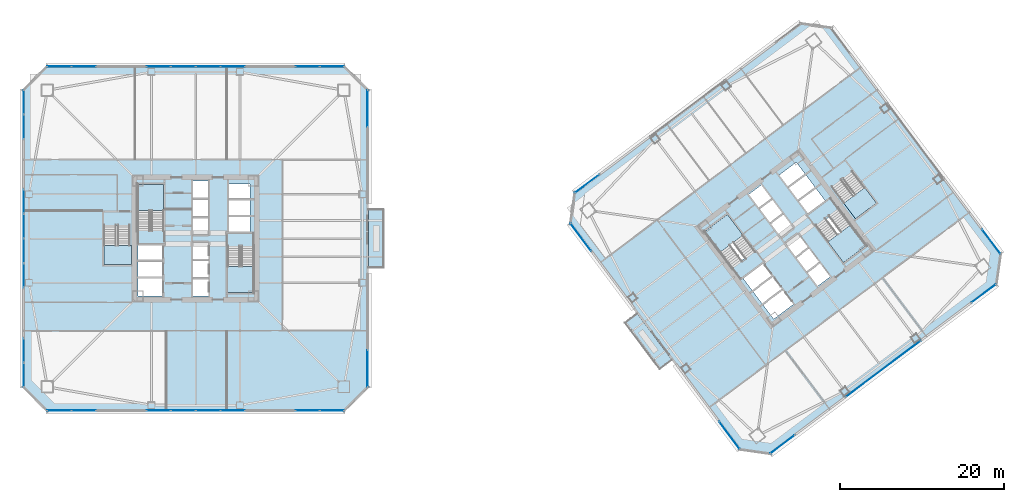
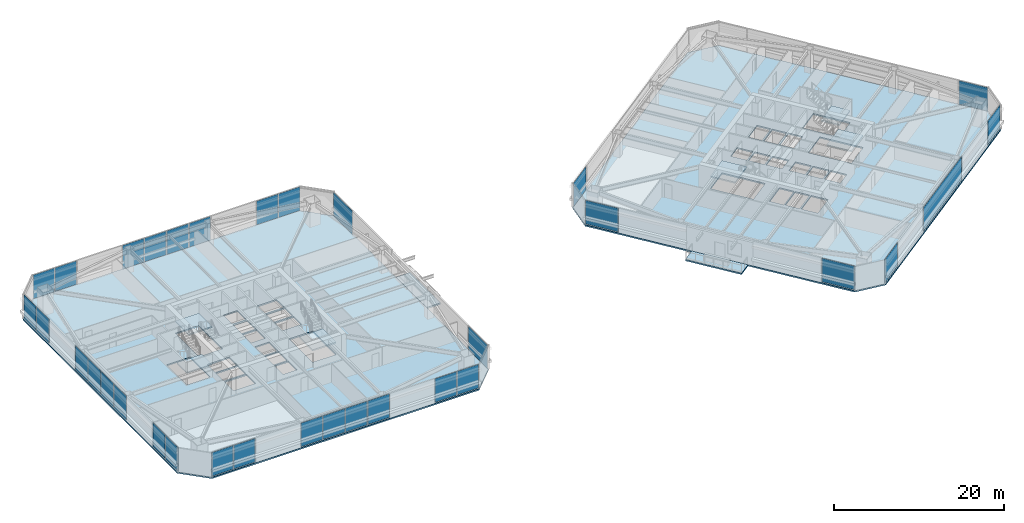
# One storey, part 31 of 44: 33 plates, 10 slabs, 24 elements without a shape of their own.
"""IFC4 building model written with IfcOpenShell, lengths in metres."""

from ifc_helpers import new_model, si_unit, direction, frame, origin, origin_2d, place, context, subcontext, project, spatial, polyline, rectangle, outline, extrude, material, layer, layer_set, type_object, element, aggregate, save


model = new_model("IFC4")

# Units and contexts
model_context = context("Model", 3, precision=1e-05, world=origin(), true_north=direction((0.0, 1.0)))
body_context = subcontext(model_context, "Body", "Model", "MODEL_VIEW")
ifc_project = project(units=[si_unit("LENGTHUNIT", "METRE"), si_unit("AREAUNIT", "SQUARE_METRE"), si_unit("VOLUMEUNIT", "CUBIC_METRE"), si_unit("PLANEANGLEUNIT", "RADIAN"), si_unit("MASSUNIT", "GRAM", prefix="KILO")], contexts=[model_context])

# Site, building, storey
site_placement = place(None, origin())
site = spatial("IfcSite", under=ifc_project, at=site_placement, CompositionType="ELEMENT")
building_placement = place(site_placement, origin())
building = spatial("IfcBuilding", under=site, at=building_placement, Name="Tashvorn Skyway Center", CompositionType="ELEMENT")
storey_placement = place(building_placement, frame((0.0, 0.0, 84.949951171875)))
storey = spatial("IfcBuildingStorey", under=building, at=storey_placement, Name="L22", CompositionType="ELEMENT", Elevation=84.949951171875)

# Curtain wall, plates
ifc_material_1 = material(Name="Thermally broken bronze-anodized aluminium 6063-T6", Category="aluminium")
curtain_wall_type = type_object("IfcCurtainWallType", Name="CW-CW-Z2", PredefinedType="NOTDEFINED", material=ifc_material_1)
curtain_wall_1_placement = place(storey_placement, origin())
curtain_wall_1 = element("IfcCurtainWall", 1, at=curtain_wall_1_placement, inside=storey, type_object=curtain_wall_type, Name="Tower 1 L22 South Unitised Curtain Wall Glazing Group 1", PredefinedType="NOTDEFINED")
ifc_material_2 = material(Name="Low-E solar-control double insulating safety glass", Category="glass")
ifc_layer_1 = layer(ifc_material_2, 0.0439453125)
ifc_layer_set_1 = layer_set([ifc_layer_1], Name="Low-E solar-control double insulating safety glass")
plate_type = type_object("IfcPlateType", Name="CWP-CW-Z2", PredefinedType="CURTAIN_PANEL", material=ifc_layer_set_1)
plate_1_placement = place(storey_placement, frame((58.64501953125, 11.02001953125, 0.080078125), z_axis=(0.0, 0.0, 1.0), x_axis=(-1.0, 0.0, 0.0)))
plate_1 = element("IfcPlate", 2, at=plate_1_placement, type_object=plate_type, Name="CW-Z2 panel 1.1", PredefinedType="CURTAIN_PANEL", context=body_context, shape_type="SweptSolid", body=[
    extrude(rectangle(XDim=2.909912109375, YDim=0.0439453125, at=origin_2d()), origin(), (0.0, 0.0, 1.0), 3.389892578125),
])
plate_2_placement = place(storey_placement, frame((55.655029296875, 11.02001953125, 0.080078125), z_axis=(0.0, 0.0, 1.0), x_axis=(-1.0, 0.0, 0.0)))
plate_2 = element("IfcPlate", 3, at=plate_2_placement, type_object=plate_type, Name="CW-Z2 panel 2.1", PredefinedType="CURTAIN_PANEL", context=body_context, shape_type="SweptSolid", body=[
    extrude(rectangle(XDim=2.909912109375, YDim=0.0439453125, at=origin_2d()), origin(), (0.0, 0.0, 1.0), 3.389892578125),
])
aggregate(curtain_wall_1, [plate_1, plate_2])

curtain_wall_2_placement = place(storey_placement, origin())
curtain_wall_2 = element("IfcCurtainWall", 4, at=curtain_wall_2_placement, inside=storey, type_object=curtain_wall_type, Name="Tower 1 L22 South Unitised Curtain Wall Glazing Group 2", PredefinedType="NOTDEFINED")
plate_3_placement = place(storey_placement, frame((46.52490234375, 11.02001953125, 0.080078125), z_axis=(0.0, 0.0, 1.0), x_axis=(-1.0, 0.0, 0.0)))
plate_3 = element("IfcPlate", 5, at=plate_3_placement, type_object=plate_type, Name="CW-Z2 panel 1.1", PredefinedType="CURTAIN_PANEL", context=body_context, shape_type="SweptSolid", body=[
    extrude(rectangle(XDim=2.909912109375, YDim=0.0439453125, at=origin_2d()), origin(), (0.0, 0.0, 1.0), 3.389892578125),
])
plate_4_placement = place(storey_placement, frame((43.514892578125, 11.02001953125, 0.080078125), z_axis=(0.0, 0.0, 1.0), x_axis=(-1.0, 0.0, 0.0)))
plate_4 = element("IfcPlate", 6, at=plate_4_placement, type_object=plate_type, Name="CW-Z2 panel 2.1", PredefinedType="CURTAIN_PANEL", context=body_context, shape_type="SweptSolid", body=[
    extrude(rectangle(XDim=2.949951171875, YDim=0.0439453125, at=origin_2d()), origin(), (0.0, 0.0, 1.0), 3.389892578125),
])
plate_5_placement = place(storey_placement, frame((40.485107421875, 11.02001953125, 0.080078125), z_axis=(0.0, 0.0, 1.0), x_axis=(-1.0, 0.0, 0.0)))
plate_5 = element("IfcPlate", 7, at=plate_5_placement, type_object=plate_type, Name="CW-Z2 panel 3.1", PredefinedType="CURTAIN_PANEL", context=body_context, shape_type="SweptSolid", body=[
    extrude(rectangle(XDim=2.949951171875, YDim=0.0439453125, at=origin_2d()), origin(), (0.0, 0.0, 1.0), 3.389892578125),
])
plate_6_placement = place(storey_placement, frame((37.47509765625, 11.02001953125, 0.080078125), z_axis=(0.0, 0.0, 1.0), x_axis=(-1.0, 0.0, 0.0)))
plate_6 = element("IfcPlate", 8, at=plate_6_placement, type_object=plate_type, Name="CW-Z2 panel 4.1", PredefinedType="CURTAIN_PANEL", context=body_context, shape_type="SweptSolid", body=[
    extrude(rectangle(XDim=2.909912109375, YDim=0.0439453125, at=origin_2d()), origin(), (0.0, 0.0, 1.0), 3.389892578125),
])
aggregate(curtain_wall_2, [plate_3, plate_4, plate_5, plate_6])

curtain_wall_3_placement = place(storey_placement, origin())
curtain_wall_3 = element("IfcCurtainWall", 9, at=curtain_wall_3_placement, inside=storey, type_object=curtain_wall_type, Name="Tower 1 L22 South Unitised Curtain Wall Glazing Group 3", PredefinedType="NOTDEFINED")
plate_7_placement = place(storey_placement, frame((28.344970703125, 11.02001953125, 0.080078125), z_axis=(0.0, 0.0, 1.0), x_axis=(-1.0, 0.0, 0.0)))
plate_7 = element("IfcPlate", 10, at=plate_7_placement, type_object=plate_type, Name="CW-Z2 panel 1.1", PredefinedType="CURTAIN_PANEL", context=body_context, shape_type="SweptSolid", body=[
    extrude(rectangle(XDim=2.909912109375, YDim=0.0439453125, at=origin_2d()), origin(), (0.0, 0.0, 1.0), 3.389892578125),
])
plate_8_placement = place(storey_placement, frame((25.35498046875, 11.02001953125, 0.080078125), z_axis=(0.0, 0.0, 1.0), x_axis=(-1.0, 0.0, 0.0)))
plate_8 = element("IfcPlate", 11, at=plate_8_placement, type_object=plate_type, Name="CW-Z2 panel 2.1", PredefinedType="CURTAIN_PANEL", context=body_context, shape_type="SweptSolid", body=[
    extrude(rectangle(XDim=2.909912109375, YDim=0.0439453125, at=origin_2d()), origin(), (0.0, 0.0, 1.0), 3.389892578125),
])
aggregate(curtain_wall_3, [plate_7, plate_8])

curtain_wall_4_placement = place(storey_placement, origin())
curtain_wall_4 = element("IfcCurtainWall", 12, at=curtain_wall_4_placement, inside=storey, type_object=curtain_wall_type, Name="Tower 1 L22 West Unitised Curtain Wall Glazing Group 1", PredefinedType="NOTDEFINED")
plate_9_placement = place(storey_placement, frame((21.02001953125, 15.35498046875, 0.080078125), z_axis=(0.0, 0.0, 1.0), x_axis=(0.0, 1.0, 0.0)))
plate_9 = element("IfcPlate", 13, at=plate_9_placement, type_object=plate_type, Name="CW-Z2 panel 1.1", PredefinedType="CURTAIN_PANEL", context=body_context, shape_type="SweptSolid", body=[
    extrude(rectangle(XDim=2.909912109375, YDim=0.0439453125, at=origin_2d()), origin(), (0.0, 0.0, 1.0), 3.389892578125),
])
plate_10_placement = place(storey_placement, frame((21.02001953125, 18.344970703125, 0.080078125), z_axis=(0.0, 0.0, 1.0), x_axis=(0.0, 1.0, 0.0)))
plate_10 = element("IfcPlate", 14, at=plate_10_placement, type_object=plate_type, Name="CW-Z2 panel 2.1", PredefinedType="CURTAIN_PANEL", context=body_context, shape_type="SweptSolid", body=[
    extrude(rectangle(XDim=2.909912109375, YDim=0.0439453125, at=origin_2d()), origin(), (0.0, 0.0, 1.0), 3.389892578125),
])
aggregate(curtain_wall_4, [plate_9, plate_10])

curtain_wall_5_placement = place(storey_placement, origin())
curtain_wall_5 = element("IfcCurtainWall", 15, at=curtain_wall_5_placement, inside=storey, type_object=curtain_wall_type, Name="Tower 1 L22 West Unitised Curtain Wall Glazing Group 2", PredefinedType="NOTDEFINED")
plate_11_placement = place(storey_placement, frame((21.02001953125, 27.47509765625, 0.080078125), z_axis=(0.0, 0.0, 1.0), x_axis=(0.0, 1.0, 0.0)))
plate_11 = element("IfcPlate", 16, at=plate_11_placement, type_object=plate_type, Name="CW-Z2 panel 1.1", PredefinedType="CURTAIN_PANEL", context=body_context, shape_type="SweptSolid", body=[
    extrude(rectangle(XDim=2.909912109375, YDim=0.0439453125, at=origin_2d()), origin(), (0.0, 0.0, 1.0), 3.389892578125),
])
plate_12_placement = place(storey_placement, frame((21.02001953125, 30.485107421875, 0.080078125), z_axis=(0.0, 0.0, 1.0), x_axis=(0.0, 1.0, 0.0)))
plate_12 = element("IfcPlate", 17, at=plate_12_placement, type_object=plate_type, Name="CW-Z2 panel 2.1", PredefinedType="CURTAIN_PANEL", context=body_context, shape_type="SweptSolid", body=[
    extrude(rectangle(XDim=2.949951171875, YDim=0.0439453125, at=origin_2d()), origin(), (0.0, 0.0, 1.0), 3.389892578125),
])
plate_13_placement = place(storey_placement, frame((21.02001953125, 33.514892578125, 0.080078125), z_axis=(0.0, 0.0, 1.0), x_axis=(0.0, 1.0, 0.0)))
plate_13 = element("IfcPlate", 18, at=plate_13_placement, type_object=plate_type, Name="CW-Z2 panel 3.1", PredefinedType="CURTAIN_PANEL", context=body_context, shape_type="SweptSolid", body=[
    extrude(rectangle(XDim=2.949951171875, YDim=0.0439453125, at=origin_2d()), origin(), (0.0, 0.0, 1.0), 3.389892578125),
])
plate_14_placement = place(storey_placement, frame((21.02001953125, 36.52490234375, 0.080078125), z_axis=(0.0, 0.0, 1.0), x_axis=(0.0, 1.0, 0.0)))
plate_14 = element("IfcPlate", 19, at=plate_14_placement, type_object=plate_type, Name="CW-Z2 panel 4.1", PredefinedType="CURTAIN_PANEL", context=body_context, shape_type="SweptSolid", body=[
    extrude(rectangle(XDim=2.909912109375, YDim=0.0439453125, at=origin_2d()), origin(), (0.0, 0.0, 1.0), 3.389892578125),
])
aggregate(curtain_wall_5, [plate_11, plate_12, plate_13, plate_14])

curtain_wall_6_placement = place(storey_placement, origin())
curtain_wall_6 = element("IfcCurtainWall", 20, at=curtain_wall_6_placement, inside=storey, type_object=curtain_wall_type, Name="Tower 1 L22 West Unitised Curtain Wall Glazing Group 3", PredefinedType="NOTDEFINED")
plate_15_placement = place(storey_placement, frame((21.02001953125, 45.655029296875, 0.080078125), z_axis=(0.0, 0.0, 1.0), x_axis=(0.0, 1.0, 0.0)))
plate_15 = element("IfcPlate", 21, at=plate_15_placement, type_object=plate_type, Name="CW-Z2 panel 1.1", PredefinedType="CURTAIN_PANEL", context=body_context, shape_type="SweptSolid", body=[
    extrude(rectangle(XDim=2.909912109375, YDim=0.0439453125, at=origin_2d()), origin(), (0.0, 0.0, 1.0), 3.389892578125),
])
plate_16_placement = place(storey_placement, frame((21.02001953125, 48.64501953125, 0.080078125), z_axis=(0.0, 0.0, 1.0), x_axis=(0.0, 1.0, 0.0)))
plate_16 = element("IfcPlate", 22, at=plate_16_placement, type_object=plate_type, Name="CW-Z2 panel 2.1", PredefinedType="CURTAIN_PANEL", context=body_context, shape_type="SweptSolid", body=[
    extrude(rectangle(XDim=2.909912109375, YDim=0.0439453125, at=origin_2d()), origin(), (0.0, 0.0, 1.0), 3.389892578125),
])
aggregate(curtain_wall_6, [plate_15, plate_16])

curtain_wall_7_placement = place(storey_placement, origin())
curtain_wall_7 = element("IfcCurtainWall", 23, at=curtain_wall_7_placement, inside=storey, type_object=curtain_wall_type, Name="Tower 1 L22 North Unitised Curtain Wall Glazing Group 1", PredefinedType="NOTDEFINED")
plate_17_placement = place(storey_placement, frame((25.35498046875, 52.97998046875, 0.080078125), z_axis=(0.0, 0.0, 1.0), x_axis=(1.0, 0.0, 0.0)))
plate_17 = element("IfcPlate", 24, at=plate_17_placement, type_object=plate_type, Name="CW-Z2 panel 1.1", PredefinedType="CURTAIN_PANEL", context=body_context, shape_type="SweptSolid", body=[
    extrude(rectangle(XDim=2.909912109375, YDim=0.0439453125, at=origin_2d()), origin(), (0.0, 0.0, 1.0), 3.389892578125),
])
plate_18_placement = place(storey_placement, frame((28.344970703125, 52.97998046875, 0.080078125), z_axis=(0.0, 0.0, 1.0), x_axis=(1.0, 0.0, 0.0)))
plate_18 = element("IfcPlate", 25, at=plate_18_placement, type_object=plate_type, Name="CW-Z2 panel 2.1", PredefinedType="CURTAIN_PANEL", context=body_context, shape_type="SweptSolid", body=[
    extrude(rectangle(XDim=2.909912109375, YDim=0.0439453125, at=origin_2d()), origin(), (0.0, 0.0, 1.0), 3.389892578125),
])
aggregate(curtain_wall_7, [plate_17, plate_18])

curtain_wall_8_placement = place(storey_placement, origin())
curtain_wall_8 = element("IfcCurtainWall", 26, at=curtain_wall_8_placement, inside=storey, type_object=curtain_wall_type, Name="Tower 1 L22 North Unitised Curtain Wall Glazing Group 2", PredefinedType="NOTDEFINED")
plate_19_placement = place(storey_placement, frame((37.47509765625, 52.97998046875, 0.080078125), z_axis=(0.0, 0.0, 1.0), x_axis=(1.0, 0.0, 0.0)))
plate_19 = element("IfcPlate", 27, at=plate_19_placement, type_object=plate_type, Name="CW-Z2 panel 1.1", PredefinedType="CURTAIN_PANEL", context=body_context, shape_type="SweptSolid", body=[
    extrude(rectangle(XDim=2.909912109375, YDim=0.0439453125, at=origin_2d()), origin(), (0.0, 0.0, 1.0), 3.389892578125),
])
plate_20_placement = place(storey_placement, frame((40.485107421875, 52.97998046875, 0.080078125), z_axis=(0.0, 0.0, 1.0), x_axis=(1.0, 0.0, 0.0)))
plate_20 = element("IfcPlate", 28, at=plate_20_placement, type_object=plate_type, Name="CW-Z2 panel 2.1", PredefinedType="CURTAIN_PANEL", context=body_context, shape_type="SweptSolid", body=[
    extrude(rectangle(XDim=2.949951171875, YDim=0.0439453125, at=origin_2d()), origin(), (0.0, 0.0, 1.0), 3.389892578125),
])
plate_21_placement = place(storey_placement, frame((43.514892578125, 52.97998046875, 0.080078125), z_axis=(0.0, 0.0, 1.0), x_axis=(1.0, 0.0, 0.0)))
plate_21 = element("IfcPlate", 29, at=plate_21_placement, type_object=plate_type, Name="CW-Z2 panel 3.1", PredefinedType="CURTAIN_PANEL", context=body_context, shape_type="SweptSolid", body=[
    extrude(rectangle(XDim=2.949951171875, YDim=0.0439453125, at=origin_2d()), origin(), (0.0, 0.0, 1.0), 3.389892578125),
])
plate_22_placement = place(storey_placement, frame((46.52490234375, 52.97998046875, 0.080078125), z_axis=(0.0, 0.0, 1.0), x_axis=(1.0, 0.0, 0.0)))
plate_22 = element("IfcPlate", 30, at=plate_22_placement, type_object=plate_type, Name="CW-Z2 panel 4.1", PredefinedType="CURTAIN_PANEL", context=body_context, shape_type="SweptSolid", body=[
    extrude(rectangle(XDim=2.909912109375, YDim=0.0439453125, at=origin_2d()), origin(), (0.0, 0.0, 1.0), 3.389892578125),
])
aggregate(curtain_wall_8, [plate_19, plate_20, plate_21, plate_22])

curtain_wall_9_placement = place(storey_placement, origin())
curtain_wall_9 = element("IfcCurtainWall", 31, at=curtain_wall_9_placement, inside=storey, type_object=curtain_wall_type, Name="Tower 1 L22 North Unitised Curtain Wall Glazing Group 3", PredefinedType="NOTDEFINED")
plate_23_placement = place(storey_placement, frame((55.655029296875, 52.97998046875, 0.080078125), z_axis=(0.0, 0.0, 1.0), x_axis=(1.0, 0.0, 0.0)))
plate_23 = element("IfcPlate", 32, at=plate_23_placement, type_object=plate_type, Name="CW-Z2 panel 1.1", PredefinedType="CURTAIN_PANEL", context=body_context, shape_type="SweptSolid", body=[
    extrude(rectangle(XDim=2.909912109375, YDim=0.0439453125, at=origin_2d()), origin(), (0.0, 0.0, 1.0), 3.389892578125),
])
plate_24_placement = place(storey_placement, frame((58.64501953125, 52.97998046875, 0.080078125), z_axis=(0.0, 0.0, 1.0), x_axis=(1.0, 0.0, 0.0)))
plate_24 = element("IfcPlate", 33, at=plate_24_placement, type_object=plate_type, Name="CW-Z2 panel 2.1", PredefinedType="CURTAIN_PANEL", context=body_context, shape_type="SweptSolid", body=[
    extrude(rectangle(XDim=2.909912109375, YDim=0.0439453125, at=origin_2d()), origin(), (0.0, 0.0, 1.0), 3.389892578125),
])
aggregate(curtain_wall_9, [plate_23, plate_24])

# Curtain wall, plate
curtain_wall_10_placement = place(storey_placement, origin())
curtain_wall_10 = element("IfcCurtainWall", 34, at=curtain_wall_10_placement, inside=storey, type_object=curtain_wall_type, Name="Tower 1 L22 East Curtain Wall L Glazing Group 1", PredefinedType="NOTDEFINED")
plate_25_placement = place(storey_placement, frame((62.97998046875, 47.8583984375, 0.080078125), z_axis=(0.0, 0.0, 1.0), x_axis=(0.0, -1.0, 0.0)))
plate_25 = element("IfcPlate", 35, at=plate_25_placement, type_object=plate_type, Name="CW-Z2 panel 1.1", PredefinedType="CURTAIN_PANEL", context=body_context, shape_type="SweptSolid", body=[
    extrude(rectangle(XDim=4.4833984375, YDim=0.0439453125, at=origin_2d()), origin(), (0.0, 0.0, 1.0), 3.389892578125),
])
aggregate(curtain_wall_10, [plate_25])

curtain_wall_11_placement = place(storey_placement, origin())
curtain_wall_11 = element("IfcCurtainWall", 36, at=curtain_wall_11_placement, inside=storey, type_object=curtain_wall_type, Name="Tower 1 L22 East Curtain Wall R Glazing Group 1", PredefinedType="NOTDEFINED")
plate_26_placement = place(storey_placement, frame((62.97998046875, 16.1416015625, 0.080078125), z_axis=(0.0, 0.0, 1.0), x_axis=(0.0, -1.0, 0.0)))
plate_26 = element("IfcPlate", 37, at=plate_26_placement, type_object=plate_type, Name="CW-Z2 panel 1.1", PredefinedType="CURTAIN_PANEL", context=body_context, shape_type="SweptSolid", body=[
    extrude(rectangle(XDim=4.4833984375, YDim=0.0439453125, at=origin_2d()), origin(), (0.0, 0.0, 1.0), 3.389892578125),
])
aggregate(curtain_wall_11, [plate_26])

curtain_wall_12_placement = place(storey_placement, origin())
curtain_wall_12 = element("IfcCurtainWall", 38, at=curtain_wall_12_placement, inside=storey, type_object=curtain_wall_type, Name="Tower 2 L22 South Unitised Curtain Wall Glazing Group 1", PredefinedType="NOTDEFINED")
plate_27_placement = place(storey_placement, frame((138.216064453125, 25.31201171875, 0.080078125), z_axis=(0.0, 0.0, 1.0), x_axis=(-0.799999999998, -0.600000000002, 0.0)))
plate_27 = element("IfcPlate", 39, at=plate_27_placement, type_object=plate_type, Name="CW-Z2 panel 1.1", PredefinedType="CURTAIN_PANEL", context=body_context, shape_type="SweptSolid", body=[
    extrude(rectangle(XDim=3.679931640625, YDim=0.0439453125, at=origin_2d()), origin(), (0.0, 0.0, 1.0), 3.389892578125),
])
aggregate(curtain_wall_12, [plate_27])

curtain_wall_13_placement = place(storey_placement, origin())
curtain_wall_13 = element("IfcCurtainWall", 40, at=curtain_wall_13_placement, inside=storey, type_object=curtain_wall_type, Name="Tower 2 L22 South Unitised Curtain Wall Glazing Group 2", PredefinedType="NOTDEFINED")
plate_28_placement = place(storey_placement, frame((125.927978515625, 16.095947265625, 0.080078125), z_axis=(0.0, 0.0, 1.0), x_axis=(-0.799999999998, -0.600000000002, 0.0)))
plate_28 = element("IfcPlate", 41, at=plate_28_placement, type_object=plate_type, Name="CW-Z2 panel 1.1", PredefinedType="CURTAIN_PANEL", context=body_context, shape_type="SweptSolid", body=[
    extrude(rectangle(XDim=11.360107421875, YDim=0.0439453125, at=origin_2d()), origin(), (0.0, 0.0, 1.0), 3.389892578125),
])
aggregate(curtain_wall_13, [plate_28])

curtain_wall_14_placement = place(storey_placement, origin())
curtain_wall_14 = element("IfcCurtainWall", 42, at=curtain_wall_14_placement, inside=storey, type_object=curtain_wall_type, Name="Tower 2 L22 South Unitised Curtain Wall Glazing Group 3", PredefinedType="NOTDEFINED")
plate_29_placement = place(storey_placement, frame((113.639892578125, 6.8798828125, 0.080078125), z_axis=(0.0, 0.0, 1.0), x_axis=(-0.799999999998, -0.600000000002, 0.0)))
plate_29 = element("IfcPlate", 43, at=plate_29_placement, type_object=plate_type, Name="CW-Z2 panel 1.1", PredefinedType="CURTAIN_PANEL", context=body_context, shape_type="SweptSolid", body=[
    extrude(rectangle(XDim=3.679931640625, YDim=0.0439453125, at=origin_2d()), origin(), (0.0, 0.0, 1.0), 3.389892578125),
])
aggregate(curtain_wall_14, [plate_29])

curtain_wall_15_placement = place(storey_placement, origin())
curtain_wall_15 = element("IfcCurtainWall", 44, at=curtain_wall_15_placement, inside=storey, type_object=curtain_wall_type, Name="Tower 2 L22 West Curtain Wall L Glazing Group 1", PredefinedType="NOTDEFINED")
plate_30_placement = place(storey_placement, frame((107.160888671875, 7.9853515625, 0.080078125), z_axis=(0.0, 0.0, 1.0), x_axis=(-0.599996316206, 0.800002762832, 0.0)))
plate_30 = element("IfcPlate", 45, at=plate_30_placement, type_object=plate_type, Name="CW-Z2 panel 1.1", PredefinedType="CURTAIN_PANEL", context=body_context, shape_type="SweptSolid", body=[
    extrude(rectangle(XDim=4.183349609375, YDim=0.0439453125, at=origin_2d()), origin(), (0.0, 0.0, 1.0), 3.389892578125),
])
aggregate(curtain_wall_15, [plate_30])

curtain_wall_16_placement = place(storey_placement, origin())
curtain_wall_16 = element("IfcCurtainWall", 46, at=curtain_wall_16_placement, inside=storey, type_object=curtain_wall_type, Name="Tower 2 L22 West Curtain Wall R Glazing Group 1", PredefinedType="NOTDEFINED")
plate_31_placement = place(storey_placement, frame((89.031005859375, 32.15869140625, 0.080078125), z_axis=(0.0, 0.0, 1.0), x_axis=(-0.599996316206, 0.800002762832, 0.0)))
plate_31 = element("IfcPlate", 47, at=plate_31_placement, type_object=plate_type, Name="CW-Z2 panel 1.1", PredefinedType="CURTAIN_PANEL", context=body_context, shape_type="SweptSolid", body=[
    extrude(rectangle(XDim=4.183349609375, YDim=0.0439453125, at=origin_2d()), origin(), (0.0, 0.0, 1.0), 3.389892578125),
])
aggregate(curtain_wall_16, [plate_31])

curtain_wall_17_placement = place(storey_placement, origin())
curtain_wall_17 = element("IfcCurtainWall", 48, at=curtain_wall_17_placement, inside=storey, type_object=curtain_wall_type, Name="Tower 2 L22 North Unitised Curtain Wall Glazing Group 1", PredefinedType="NOTDEFINED")
plate_32_placement = place(storey_placement, frame((89.783935546875, 38.68798828125, 0.080078125), z_axis=(0.0, 0.0, 1.0), x_axis=(0.799999999998, 0.600000000002, 0.0)))
plate_32 = element("IfcPlate", 49, at=plate_32_placement, type_object=plate_type, Name="CW-Z2 panel 1.1", PredefinedType="CURTAIN_PANEL", context=body_context, shape_type="SweptSolid", body=[
    extrude(rectangle(XDim=3.679931640625, YDim=0.0439453125, at=origin_2d()), origin(), (0.0, 0.0, 1.0), 3.389892578125),
])
aggregate(curtain_wall_17, [plate_32])

curtain_wall_18_placement = place(storey_placement, origin())
curtain_wall_18 = element("IfcCurtainWall", 50, at=curtain_wall_18_placement, inside=storey, type_object=curtain_wall_type, Name="Tower 2 L22 East Unitised Curtain Wall Glazing Group 3", PredefinedType="NOTDEFINED")
plate_33_placement = place(storey_placement, frame((139.1201171875, 31.639892578125, 0.080078125), z_axis=(0.0, 0.0, 1.0), x_axis=(0.600000000002, -0.799999999998, 0.0)))
plate_33 = element("IfcPlate", 51, at=plate_33_placement, type_object=plate_type, Name="CW-Z2 panel 1.1", PredefinedType="CURTAIN_PANEL", context=body_context, shape_type="SweptSolid", body=[
    extrude(rectangle(XDim=3.679931640625, YDim=0.0439453125, at=origin_2d()), origin(), (0.0, 0.0, 1.0), 3.389892578125),
])
aggregate(curtain_wall_18, [plate_33])

# Slabs
ifc_material_3 = material(Name="Concrete C40/50", Category="concrete")
ifc_layer_2 = layer(ifc_material_3, 0.199951171875)
ifc_layer_set_2 = layer_set([ifc_layer_2], Name="Concrete C40/50")
slab_type_1 = type_object("IfcSlabType", Name="SLAB-FLR-200", PredefinedType="FLOOR", material=ifc_layer_set_2)
slab_1_placement = place(storey_placement, frame((0.0, 0.0, -0.199951171875)))
element("IfcSlab", 52, at=slab_1_placement, inside=storey, type_object=slab_type_1, Name="Tower 1 L22 Composite Floor Slab", PredefinedType="FLOOR", context=body_context, shape_type="SweptSolid", body=[
    extrude(outline(polyline([(23.89990234375, 10.89990234375), (60.10009765625, 10.89990234375), (63.10009765625, 13.89990234375), (63.10009765625, 50.10009765625), (60.10009765625, 53.10009765625), (23.89990234375, 53.10009765625), (20.89990234375, 50.10009765625), (20.89990234375, 13.89990234375), (23.89990234375, 10.89990234375)]), holes=[polyline([(38.10009765625, 33.080078125), (38.10009765625, 38.60009765625), (34.89990234375, 38.60009765625), (34.89990234375, 33.080078125), (38.10009765625, 33.080078125)]), polyline([(45.89990234375, 30.919921875), (45.89990234375, 25.39990234375), (49.10009765625, 25.39990234375), (49.10009765625, 30.919921875), (45.89990234375, 30.919921875)]), polyline([(30.800048828125, 33.52001953125), (30.800048828125, 28.800048828125), (34.0, 28.800048828125), (34.0, 33.52001953125), (30.800048828125, 33.52001953125)]), polyline([(34.949951171875, 29.35009765625), (37.949951171875, 29.35009765625), (37.949951171875, 31.199951171875), (34.949951171875, 31.199951171875), (34.949951171875, 29.35009765625)]), polyline([(34.949951171875, 27.35009765625), (37.949951171875, 27.35009765625), (37.949951171875, 29.199951171875), (34.949951171875, 29.199951171875), (34.949951171875, 27.35009765625)]), polyline([(34.949951171875, 25.0), (37.949951171875, 25.0), (37.949951171875, 27.14990234375), (34.949951171875, 27.14990234375), (34.949951171875, 25.0)]), polyline([(41.64990234375, 25.0), (43.550048828125, 25.0), (43.550048828125, 27.050048828125), (41.64990234375, 27.050048828125), (41.64990234375, 25.0)]), polyline([(41.64990234375, 27.25), (43.550048828125, 27.25), (43.550048828125, 29.300048828125), (41.64990234375, 29.300048828125), (41.64990234375, 27.25)]), polyline([(41.64990234375, 29.5), (43.550048828125, 29.5), (43.550048828125, 31.550048828125), (41.64990234375, 31.550048828125), (41.64990234375, 29.5)]), polyline([(41.64990234375, 32.449951171875), (43.550048828125, 32.449951171875), (43.550048828125, 34.5), (41.64990234375, 34.5), (41.64990234375, 32.449951171875)]), polyline([(41.64990234375, 34.699951171875), (43.550048828125, 34.699951171875), (43.550048828125, 36.75), (41.64990234375, 36.75), (41.64990234375, 34.699951171875)]), polyline([(41.64990234375, 36.949951171875), (43.550048828125, 36.949951171875), (43.550048828125, 39.0), (41.64990234375, 39.0), (41.64990234375, 36.949951171875)]), polyline([(46.050048828125, 32.800048828125), (48.64990234375, 32.800048828125), (48.64990234375, 34.64990234375), (46.050048828125, 34.64990234375), (46.050048828125, 32.800048828125)]), polyline([(46.050048828125, 34.85009765625), (48.64990234375, 34.85009765625), (48.64990234375, 36.699951171875), (46.050048828125, 36.699951171875), (46.050048828125, 34.85009765625)]), polyline([(46.050048828125, 36.89990234375), (48.64990234375, 36.89990234375), (48.64990234375, 38.64990234375), (46.050048828125, 38.64990234375), (46.050048828125, 36.89990234375)])]), origin(), (0.0, 0.0, 1.0), 0.199951171875),
])
slab_2_placement = place(storey_placement, frame((0.0, 0.0, -0.199951171875)))
element("IfcSlab", 53, at=slab_2_placement, inside=storey, type_object=slab_type_1, Name="Tower 2 L22 Composite Floor Slab", PredefinedType="FLOOR", context=body_context, shape_type="SweptSolid", body=[
    extrude(outline(polyline([(112.239990234375, 5.679931640625), (139.760009765625, 26.320068359375), (140.320068359375, 30.239990234375), (119.679931640625, 57.760009765625), (115.760009765625, 58.320068359375), (88.239990234375, 37.679931640625), (87.679931640625, 33.760009765625), (108.320068359375, 6.239990234375), (112.239990234375, 5.679931640625)]), holes=[polyline([(110.23193359375, 30.52392578125), (106.919921875, 34.93994140625), (104.135986328125, 32.85205078125), (107.447998046875, 28.43603515625), (110.23193359375, 30.52392578125)]), polyline([(117.76806640625, 33.47607421875), (121.080078125, 29.06005859375), (123.864013671875, 31.14794921875), (120.552001953125, 35.56396484375), (117.76806640625, 33.47607421875)]), polyline([(119.7119140625, 38.18408203125), (122.5439453125, 34.407958984375), (125.10400390625, 36.327880859375), (122.27197265625, 40.10400390625), (119.7119140625, 38.18408203125)]), polyline([(109.949951171875, 25.64990234375), (112.35009765625, 27.449951171875), (111.239990234375, 28.929931640625), (108.840087890625, 27.1298828125), (109.949951171875, 25.64990234375)]), polyline([(111.14990234375, 24.050048828125), (113.550048828125, 25.85009765625), (112.43994140625, 27.330078125), (110.0400390625, 25.530029296875), (111.14990234375, 24.050048828125)]), polyline([(112.56005859375, 22.169921875), (114.9599609375, 23.969970703125), (113.669921875, 25.68994140625), (111.27001953125, 23.889892578125), (112.56005859375, 22.169921875)]), polyline([(117.919921875, 26.18994140625), (119.43994140625, 27.330078125), (118.2099609375, 28.969970703125), (116.68994140625, 27.830078125), (117.919921875, 26.18994140625)]), polyline([(116.570068359375, 27.989990234375), (118.090087890625, 29.1298828125), (116.860107421875, 30.77001953125), (115.340087890625, 29.6298828125), (116.570068359375, 27.989990234375)]), polyline([(115.219970703125, 29.7900390625), (116.739990234375, 30.929931640625), (115.510009765625, 32.570068359375), (113.989990234375, 31.429931640625), (115.219970703125, 29.7900390625)]), polyline([(113.449951171875, 32.14990234375), (114.969970703125, 33.2900390625), (113.739990234375, 34.929931640625), (112.219970703125, 33.7900390625), (113.449951171875, 32.14990234375)]), polyline([(112.10009765625, 33.949951171875), (113.6201171875, 35.090087890625), (112.389892578125, 36.72998046875), (110.8701171875, 35.590087890625), (112.10009765625, 33.949951171875)]), polyline([(110.75, 35.75), (112.27001953125, 36.889892578125), (111.0400390625, 38.530029296875), (109.52001953125, 37.389892578125), (110.75, 35.75)]), polyline([(116.760009765625, 35.070068359375), (118.840087890625, 36.6298828125), (117.72998046875, 38.110107421875), (115.64990234375, 36.550048828125), (116.760009765625, 35.070068359375)]), polyline([(115.530029296875, 36.7099609375), (117.610107421875, 38.27001953125), (116.5, 39.75), (114.419921875, 38.18994140625), (115.530029296875, 36.7099609375)]), polyline([(114.300048828125, 38.35009765625), (116.3798828125, 39.909912109375), (115.330078125, 41.31005859375), (113.25, 39.75), (114.300048828125, 38.35009765625)])]), origin(), (0.0, 0.0, 1.0), 0.199951171875),
])

# Stair, slab
stair_type = type_object("IfcStairType", Name="STAIR-CORE-1500", PredefinedType="HALF_TURN_STAIR", material=ifc_material_3)
stair_1_placement = place(storey_placement, origin())
stair_1 = element("IfcStair", 54, at=stair_1_placement, inside=storey, type_object=stair_type, Name="L22 Tower 1 Exit Stair 1", PredefinedType="HALF_TURN_STAIR")
ifc_layer_3 = layer(ifc_material_3, 0.199951171875)
ifc_layer_set_3 = layer_set([ifc_layer_3], Name="Concrete C40/50")
slab_type_2 = type_object("IfcSlabType", Name="SLAB-LAND-200", PredefinedType="LANDING", material=ifc_layer_set_3)
slab_3_placement = place(storey_placement, frame((0.0, 0.0, 1.574951171875)))
slab_3 = element("IfcSlab", 55, at=slab_3_placement, type_object=slab_type_2, Name="ST-T1-1 landing 1", PredefinedType="LANDING", context=body_context, shape_type="SweptSolid", body=[
    extrude(outline(polyline([(38.10009765625, 35.43994140625), (38.10009765625, 38.60009765625), (34.89990234375, 38.60009765625), (34.89990234375, 35.43994140625), (38.10009765625, 35.43994140625)])), origin(), (0.0, 0.0, 1.0), 0.2001953125),
])
aggregate(stair_1, [slab_3])

stair_2_placement = place(storey_placement, origin())
stair_2 = element("IfcStair", 56, at=stair_2_placement, inside=storey, type_object=stair_type, Name="L22 Tower 1 Exit Stair 2", PredefinedType="HALF_TURN_STAIR")
slab_4_placement = place(storey_placement, frame((0.0, 0.0, 1.574951171875)))
slab_4 = element("IfcSlab", 57, at=slab_4_placement, type_object=slab_type_2, Name="ST-T1-2 landing 1", PredefinedType="LANDING", context=body_context, shape_type="SweptSolid", body=[
    extrude(outline(polyline([(45.89990234375, 28.56005859375), (45.89990234375, 25.39990234375), (49.10009765625, 25.39990234375), (49.10009765625, 28.56005859375), (45.89990234375, 28.56005859375)])), origin(), (0.0, 0.0, 1.0), 0.2001953125),
])
aggregate(stair_2, [slab_4])

stair_3_placement = place(storey_placement, origin())
stair_3 = element("IfcStair", 58, at=stair_3_placement, inside=storey, type_object=stair_type, Name="L22 Tower 2 Exit Stair 1", PredefinedType="HALF_TURN_STAIR")
slab_5_placement = place(storey_placement, frame((0.0, 0.0, 1.574951171875)))
slab_5 = element("IfcSlab", 59, at=slab_5_placement, type_object=slab_type_2, Name="ST-T2-1 landing 1", PredefinedType="LANDING", context=body_context, shape_type="SweptSolid", body=[
    extrude(outline(polyline([(108.82080078125, 32.405517578125), (106.919921875, 34.93994140625), (104.135986328125, 32.85205078125), (106.036865234375, 30.317626953125), (108.82080078125, 32.405517578125)])), origin(), (0.0, 0.0, 1.0), 0.2001953125),
])
aggregate(stair_3, [slab_5])

stair_4_placement = place(storey_placement, origin())
stair_4 = element("IfcStair", 60, at=stair_4_placement, inside=storey, type_object=stair_type, Name="L22 Tower 2 Exit Stair 2", PredefinedType="HALF_TURN_STAIR")
slab_6_placement = place(storey_placement, frame((0.0, 0.0, 1.574951171875)))
slab_6 = element("IfcSlab", 61, at=slab_6_placement, type_object=slab_type_2, Name="ST-T2-2 landing 1", PredefinedType="LANDING", context=body_context, shape_type="SweptSolid", body=[
    extrude(outline(polyline([(119.17919921875, 31.594482421875), (121.080078125, 29.06005859375), (123.864013671875, 31.14794921875), (121.963134765625, 33.682373046875), (119.17919921875, 31.594482421875)])), origin(), (0.0, 0.0, 1.0), 0.2001953125),
])
aggregate(stair_4, [slab_6])

stair_5_placement = place(storey_placement, origin())
stair_5 = element("IfcStair", 62, at=stair_5_placement, inside=storey, type_object=stair_type, Name="L22 Tower 1 Exit Stair 3", PredefinedType="HALF_TURN_STAIR")
slab_7_placement = place(storey_placement, frame((0.0, 0.0, 1.574951171875)))
slab_7 = element("IfcSlab", 63, at=slab_7_placement, type_object=slab_type_2, Name="ST-T1-3 landing 1", PredefinedType="LANDING", context=body_context, shape_type="SweptSolid", body=[
    extrude(outline(polyline([(30.800048828125, 31.159912109375), (30.800048828125, 28.800048828125), (34.199951171875, 28.800048828125), (34.199951171875, 31.159912109375), (30.800048828125, 31.159912109375)])), origin(), (0.0, 0.0, 1.0), 0.2001953125),
])
aggregate(stair_5, [slab_7])

stair_6_placement = place(storey_placement, origin())
stair_6 = element("IfcStair", 64, at=stair_6_placement, inside=storey, type_object=stair_type, Name="L22 Tower 2 Exit Stair 3", PredefinedType="HALF_TURN_STAIR")
slab_8_placement = place(storey_placement, frame((0.0, 0.0, 1.574951171875)))
slab_8 = element("IfcSlab", 65, at=slab_8_placement, type_object=slab_type_2, Name="ST-T2-3 landing 1", PredefinedType="LANDING", context=body_context, shape_type="SweptSolid", body=[
    extrude(outline(polyline([(121.123291015625, 36.302490234375), (122.5439453125, 34.407958984375), (125.10400390625, 36.327880859375), (123.68310546875, 38.222412109375), (121.123291015625, 36.302490234375)])), origin(), (0.0, 0.0, 1.0), 0.2001953125),
])
aggregate(stair_6, [slab_8])

# Slabs
ifc_layer_4 = layer(ifc_material_3, 0.179931640625)
ifc_layer_set_4 = layer_set([ifc_layer_4], Name="Concrete C40/50")
slab_type_3 = type_object("IfcSlabType", Name="SLAB-TERR-200", PredefinedType="FLOOR", material=ifc_layer_set_4)
slab_9_placement = place(storey_placement, frame((0.0, 0.0, -0.199951171875)))
element("IfcSlab", 66, at=slab_9_placement, inside=storey, type_object=slab_type_3, Name="Tower 1 L22 Spiral Planted Terrace Slab", PredefinedType="FLOOR", context=body_context, shape_type="SweptSolid", body=[
    extrude(outline(polyline([(63.090087890625, 28.39990234375), (65.0, 28.39990234375), (65.0, 35.60009765625), (63.090087890625, 35.60009765625), (63.090087890625, 28.39990234375)])), origin(), (0.0, 0.0, 1.0), 0.199951171875),
])
slab_10_placement = place(storey_placement, frame((0.0, 0.0, -0.199951171875)))
element("IfcSlab", 67, at=slab_10_placement, inside=storey, type_object=slab_type_3, Name="Tower 2 L22 Spiral Planted Terrace Slab", PredefinedType="FLOOR", context=body_context, shape_type="SweptSolid", body=[
    extrude(outline(polyline([(98.639892578125, 15.97998046875), (100.16796875, 17.1259765625), (95.847900390625, 22.885986328125), (94.320068359375, 21.739990234375), (98.639892578125, 15.97998046875)])), origin(), (0.0, 0.0, 1.0), 0.199951171875),
])

save(model, "model.ifc")
